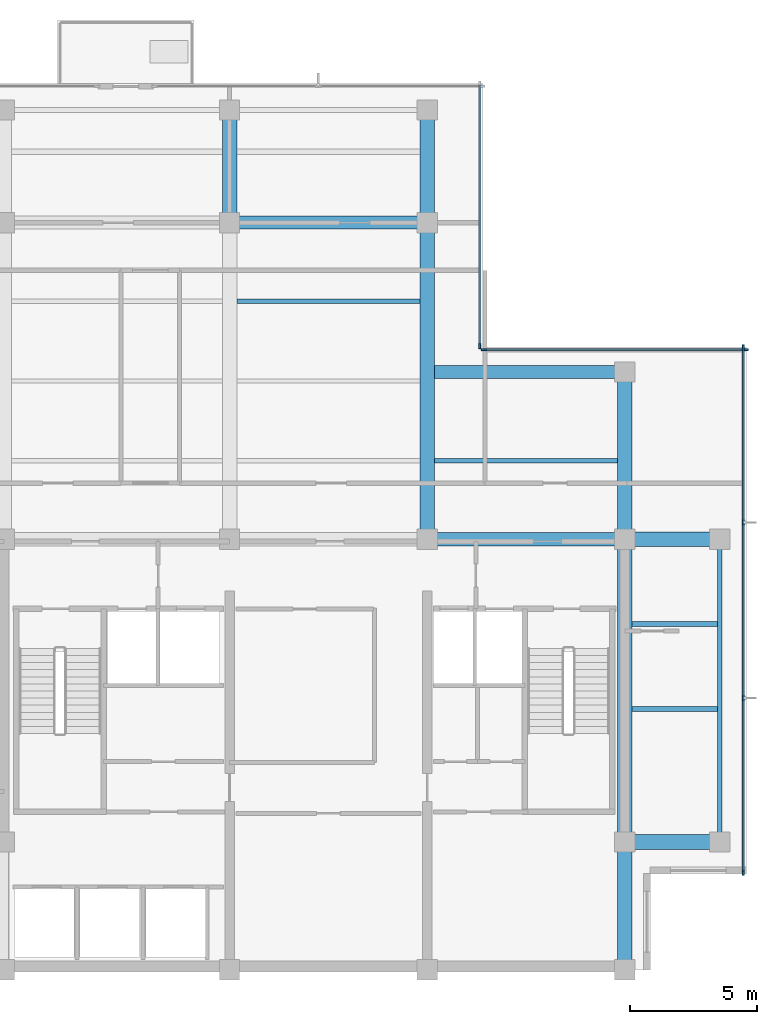
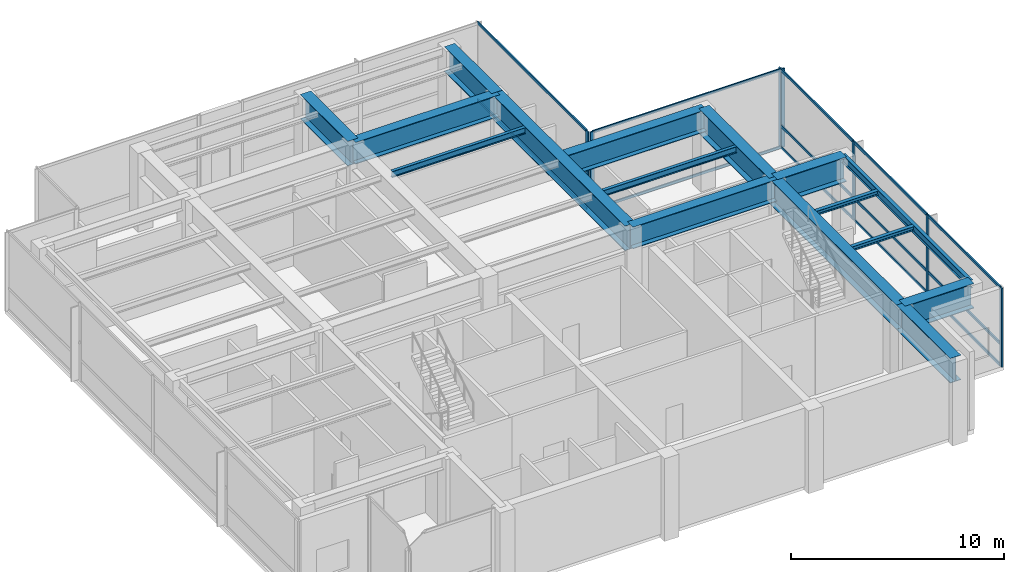
# One storey, part 3 of 11: 20 members, 16 beams, 3 elements without a shape of their own.
"""IFC4 building model written with IfcOpenShell, lengths in metres."""

from ifc_helpers import new_model, si_unit, direction, frame, origin, origin_2d, place, context, subcontext, project, spatial, rectangle, i_section, extrude, material, layer, layer_set, material_profile, profile_set, type_object, element, aggregate, save


model = new_model("IFC4")

# Units and contexts
model_context = context("Model", 3, precision=1e-05, world=origin(), true_north=direction((0.0, 1.0)))
body_context = subcontext(model_context, "Body", "Model", "MODEL_VIEW")
ifc_project = project(units=[si_unit("LENGTHUNIT", "METRE"), si_unit("AREAUNIT", "SQUARE_METRE"), si_unit("VOLUMEUNIT", "CUBIC_METRE"), si_unit("PLANEANGLEUNIT", "RADIAN"), si_unit("MASSUNIT", "GRAM", prefix="KILO")], contexts=[model_context])

# Site, building, storey
site_placement = place(None, origin())
site = spatial("IfcSite", under=ifc_project, at=site_placement, CompositionType="ELEMENT")
building_placement = place(site_placement, origin())
building = spatial("IfcBuilding", under=site, at=building_placement, Name="Qalmaran Belvedere Hotel", CompositionType="ELEMENT")
storey_placement = place(building_placement, frame((0.0, 0.0, 293.89990234375)))
storey = spatial("IfcBuildingStorey", under=building, at=storey_placement, Name="L76", CompositionType="ELEMENT", Elevation=293.89990234375)

# Beams
ifc_material_1 = material(Name="Steel S355JR", Category="steel")
ifc_material_profile_1 = material_profile(ifc_material_1, i_section(OverallWidth=0.201904296875, OverallDepth=0.2470703125, WebThickness=0.00732421875, FlangeThickness=0.010986328125, FilletRadius=0.011962890625, at=origin_2d()), Name="W250X49")
ifc_profile_set_1 = profile_set([ifc_material_profile_1], Name="Steel S355JR")
beam_type_1 = type_object("IfcBeamType", Name="BM-JST-W250X49", PredefinedType="JOIST", material=ifc_profile_set_1)
for number, where, z_axis, x_axis, name in (
    (1, (45.087890625, 13.800048828125, 4.376708984375), (1.0, 0.0, 0.0), (0.0, 1.0, 0.0), "L76 East Wing Joist 036"),
    (2, (45.087890625, 17.14990234375, 4.376708984375), (1.0, 0.0, 0.0), (0.0, 1.0, 0.0), "L76 East Wing Joist 038"),
):
    element("IfcBeam", number, at=place(storey_placement, frame(where, z_axis=z_axis, x_axis=x_axis)), inside=storey, type_object=beam_type_1, Name=name, PredefinedType="JOIST", context=body_context, shape_type="SweptSolid", body=[
        extrude(i_section(OverallWidth=0.201904296875, OverallDepth=0.2470703125, WebThickness=0.00732421875, FlangeThickness=0.010986328125, FilletRadius=0.011962890625, at=origin_2d()), origin(), (0.0, 0.0, 1.0), 3.3681640625),
    ])
ifc_material_profile_2 = material_profile(ifc_material_1, i_section(OverallWidth=0.172119140625, OverallDepth=0.35791015625, WebThickness=0.0078125, FlangeThickness=0.01318359375, FilletRadius=0.014892578125, at=origin_2d()), Name="W360X57")
ifc_profile_set_2 = profile_set([ifc_material_profile_2], Name="Steel S355JR")
beam_type_2 = type_object("IfcBeamType", Name="BM-SB4-W360X57", PredefinedType="BEAM", material=ifc_profile_set_2)
for number, where, z_axis, x_axis, name in (
    (3, (37.2880859375, 23.60009765625, 4.321044921875), (1.0, 0.0, 0.0), (0.0, 1.0, 0.0), "L76 Secondary Floor Beam 027"),
    (4, (29.488037109375, 29.89990234375, 4.321044921875), (1.0, 0.0, 0.0), (0.0, 1.0, 0.0), "L76 Secondary Floor Beam 034"),
):
    element("IfcBeam", number, at=place(storey_placement, frame(where, z_axis=z_axis, x_axis=x_axis)), inside=storey, type_object=beam_type_2, Name=name, PredefinedType="BEAM", context=body_context, shape_type="SweptSolid", body=[
        extrude(i_section(OverallWidth=0.172119140625, OverallDepth=0.35791015625, WebThickness=0.0078125, FlangeThickness=0.01318359375, FilletRadius=0.014892578125, at=origin_2d()), origin(), (0.0, 0.0, 1.0), 7.223876953125),
    ])
ifc_material_profile_3 = material_profile(ifc_material_1, i_section(OverallWidth=0.19189453125, OverallDepth=0.462890625, WebThickness=0.010498046875, FlangeThickness=0.017578125, FilletRadius=0.01611328125, at=origin_2d()), Name="W460X89")
ifc_profile_set_3 = profile_set([ifc_material_profile_3], Name="Steel S355JR")
beam_type_3 = type_object("IfcBeamType", Name="BM-SP2-W460X89", PredefinedType="SPANDREL", material=ifc_profile_set_3)
beam_1_placement = place(storey_placement, frame((48.550048828125, 8.550048828125, 4.2685546875), z_axis=(0.0, 1.0, 0.0), x_axis=(-1.0, 0.0, 0.0)))
element("IfcBeam", 5, at=beam_1_placement, inside=storey, type_object=beam_type_3, Name="L76 Perimeter Spandrel 03", PredefinedType="SPANDREL", context=body_context, shape_type="SweptSolid", body=[
    extrude(i_section(OverallWidth=0.19189453125, OverallDepth=0.462890625, WebThickness=0.010498046875, FlangeThickness=0.017578125, FilletRadius=0.01611328125, at=origin_2d()), origin(), (0.0, 0.0, 1.0), 11.949951171875),
])
ifc_material_profile_4 = material_profile(ifc_material_1, i_section(OverallWidth=0.580078125, OverallDepth=1.419921875, WebThickness=0.02490234375, FlangeThickness=0.034912109375, at=origin_2d()), Name="PG1420X580X35")
ifc_profile_set_4 = profile_set([ifc_material_profile_4], Name="Steel S355JR")
beam_type_4 = type_object("IfcBeamType", Name="BM-TG6-PG1420X580", PredefinedType="USERDEFINED", material=ifc_profile_set_4)
beam_2_placement = place(storey_placement, frame((29.199951171875, 33.0, 3.7900390625), z_axis=(0.0, 1.0, 0.0), x_axis=(-1.0, 0.0, 0.0)))
element("IfcBeam", 6, at=beam_2_placement, inside=storey, type_object=beam_type_4, Name="L76 North Bay Girder 14", ObjectType="GIRDER", PredefinedType="USERDEFINED", context=body_context, shape_type="SweptSolid", body=[
    extrude(i_section(OverallWidth=0.580078125, OverallDepth=1.419921875, WebThickness=0.02490234375, FlangeThickness=0.034912109375, at=origin_2d()), origin(), (0.0, 0.0, 1.0), 4.449951171875),
])
beam_3_placement = place(storey_placement, frame((37.0, 20.5, 3.7900390625), z_axis=(0.0, 1.0, 0.0), x_axis=(-1.0, 0.0, 0.0)))
element("IfcBeam", 7, at=beam_3_placement, inside=storey, type_object=beam_type_4, Name="L76 Mid-Plate N-S Girder 15", ObjectType="GIRDER", PredefinedType="USERDEFINED", context=body_context, shape_type="SweptSolid", body=[
    extrude(i_section(OverallWidth=0.580078125, OverallDepth=1.419921875, WebThickness=0.02490234375, FlangeThickness=0.034912109375, at=origin_2d()), origin(), (0.0, 0.0, 1.0), 12.5),
])
beam_4_placement = place(storey_placement, frame((37.0, 33.0, 3.7900390625), z_axis=(0.0, 1.0, 0.0), x_axis=(-1.0, 0.0, 0.0)))
element("IfcBeam", 8, at=beam_4_placement, inside=storey, type_object=beam_type_4, Name="L76 North Bay Girder 16", ObjectType="GIRDER", PredefinedType="USERDEFINED", context=body_context, shape_type="SweptSolid", body=[
    extrude(i_section(OverallWidth=0.580078125, OverallDepth=1.419921875, WebThickness=0.02490234375, FlangeThickness=0.034912109375, at=origin_2d()), origin(), (0.0, 0.0, 1.0), 4.449951171875),
])
beam_5_placement = place(storey_placement, frame((44.800048828125, 20.5, 3.7900390625), z_axis=(0.0, 1.0, 0.0), x_axis=(-1.0, 0.0, 0.0)))
element("IfcBeam", 9, at=beam_5_placement, inside=storey, type_object=beam_type_4, Name="L76 Mid-Plate N-S Girder 17", ObjectType="GIRDER", PredefinedType="USERDEFINED", context=body_context, shape_type="SweptSolid", body=[
    extrude(i_section(OverallWidth=0.580078125, OverallDepth=1.419921875, WebThickness=0.02490234375, FlangeThickness=0.034912109375, at=origin_2d()), origin(), (0.0, 0.0, 1.0), 6.60009765625),
])
beam_6_placement = place(storey_placement, frame((44.800048828125, 3.5, 3.7900390625), z_axis=(0.0, 1.0, 0.0), x_axis=(-1.0, 0.0, 0.0)))
element("IfcBeam", 10, at=beam_6_placement, inside=storey, type_object=beam_type_4, Name="L76 East Core Edge Girder A", ObjectType="GIRDER", PredefinedType="USERDEFINED", context=body_context, shape_type="SweptSolid", body=[
    extrude(i_section(OverallWidth=0.580078125, OverallDepth=1.419921875, WebThickness=0.02490234375, FlangeThickness=0.034912109375, at=origin_2d()), origin(), (0.0, 0.0, 1.0), 5.050048828125),
])
beam_7_placement = place(storey_placement, frame((44.800048828125, 8.550048828125, 3.7900390625), z_axis=(0.0, 1.0, 0.0), x_axis=(-1.0, 0.0, 0.0)))
element("IfcBeam", 11, at=beam_7_placement, inside=storey, type_object=beam_type_4, Name="L76 East Core Edge Girder B", ObjectType="GIRDER", PredefinedType="USERDEFINED", context=body_context, shape_type="SweptSolid", body=[
    extrude(i_section(OverallWidth=0.580078125, OverallDepth=1.419921875, WebThickness=0.02490234375, FlangeThickness=0.034912109375, at=origin_2d()), origin(), (0.0, 0.0, 1.0), 11.949951171875),
])
for number, where, z_axis, x_axis, name in (
    (12, (44.800048828125, 8.550048828125, 3.7900390625), (1.0, 0.0, 0.0), (0.0, 1.0, 0.0), "L76 East Wing Girder 22"),
    (13, (44.800048828125, 20.5, 3.7900390625), (1.0, 0.0, 0.0), (0.0, 1.0, 0.0), "L76 East Wing Girder 23"),
):
    element("IfcBeam", number, at=place(storey_placement, frame(where, z_axis=z_axis, x_axis=x_axis)), inside=storey, type_object=beam_type_4, Name=name, ObjectType="GIRDER", PredefinedType="USERDEFINED", context=body_context, shape_type="SweptSolid", body=[
        extrude(i_section(OverallWidth=0.580078125, OverallDepth=1.419921875, WebThickness=0.02490234375, FlangeThickness=0.034912109375, at=origin_2d()), origin(), (0.0, 0.0, 1.0), 3.75),
    ])
ifc_material_profile_5 = material_profile(ifc_material_1, i_section(OverallWidth=0.52001953125, OverallDepth=1.25, WebThickness=0.02197265625, FlangeThickness=0.031982421875, at=origin_2d()), Name="PG1250X520X32")
ifc_profile_set_5 = profile_set([ifc_material_profile_5], Name="Steel S355JR")
beam_type_5 = type_object("IfcBeamType", Name="BM-TG7-PG1250X520", PredefinedType="USERDEFINED", material=ifc_profile_set_5)
for number, where, z_axis, x_axis, name in (
    (14, (37.0, 20.5, 3.875), (1.0, 0.0, 0.0), (0.0, 1.0, 0.0), "L76 Interior E-W Girder 08"),
    (15, (29.199951171875, 33.0, 3.875), (1.0, 0.0, 0.0), (0.0, 1.0, 0.0), "L76 Interior E-W Girder 10"),
):
    element("IfcBeam", number, at=place(storey_placement, frame(where, z_axis=z_axis, x_axis=x_axis)), inside=storey, type_object=beam_type_5, Name=name, ObjectType="GIRDER", PredefinedType="USERDEFINED", context=body_context, shape_type="SweptSolid", body=[
        extrude(i_section(OverallWidth=0.52001953125, OverallDepth=1.25, WebThickness=0.02197265625, FlangeThickness=0.031982421875, at=origin_2d()), origin(), (0.0, 0.0, 1.0), 7.800048828125),
    ])
beam_8_placement = place(storey_placement, frame((37.2880859375, 27.10009765625, 3.875), z_axis=(1.0, 0.0, 0.0), x_axis=(0.0, 1.0, 0.0)))
element("IfcBeam", 16, at=beam_8_placement, inside=storey, type_object=beam_type_5, Name="L76 North-East Notch Rim Girder", ObjectType="GIRDER", PredefinedType="USERDEFINED", context=body_context, shape_type="SweptSolid", body=[
    extrude(i_section(OverallWidth=0.52001953125, OverallDepth=1.25, WebThickness=0.02197265625, FlangeThickness=0.031982421875, at=origin_2d()), origin(), (0.0, 0.0, 1.0), 7.511962890625),
])

# Curtain wall, members
ifc_material_2 = material(Name="Anodised Bronze Aluminium", Category="aluminium")
ifc_layer = layer(ifc_material_2, 0.205078125, Name="Anodised Bronze Aluminium")
ifc_layer_set = layer_set([ifc_layer], Name="Anodised Bronze Aluminium")
curtain_wall_type = type_object("IfcCurtainWallType", Name="CW7-CROWN-BELVEDERE", PredefinedType="NOTDEFINED", material=ifc_layer_set)
curtain_wall_1_placement = place(storey_placement, origin())
curtain_wall_1 = element("IfcCurtainWall", 17, at=curtain_wall_1_placement, inside=storey, type_object=curtain_wall_type, Name="L76 Curtain Wall CW7", PredefinedType="NOTDEFINED")
ifc_material_profile_6 = material_profile(ifc_material_2, rectangle(XDim=0.074951171875, YDim=0.219970703125, at=origin_2d()), Name="CWM75X220")
ifc_profile_set_6 = profile_set([ifc_material_profile_6], Name="Anodised Bronze Aluminium")
member_type_1 = type_object("IfcMemberType", Name="CWM-75X220", PredefinedType="MULLION", material=ifc_profile_set_6)
member_1_placement = place(storey_placement, frame((49.47998046875, 7.33740234375, 0.0), z_axis=(0.0, 0.0, 1.0), x_axis=(-1.0, 0.0, 0.0)))
member_1 = element("IfcMember", 18, at=member_1_placement, type_object=member_type_1, Name="CW7 mullion 1", PredefinedType="MULLION", context=body_context, shape_type="SweptSolid", body=[
    extrude(rectangle(XDim=0.074951171875, YDim=0.219970703125, at=origin_2d()), origin(), (0.0, 0.0, 1.0), 4.5),
])
member_2_placement = place(storey_placement, frame((49.47998046875, 14.2333984375, 0.0), z_axis=(0.0, 0.0, 1.0), x_axis=(-1.0, 0.0, 0.0)))
member_2 = element("IfcMember", 19, at=member_2_placement, type_object=member_type_1, Name="CW7 mullion 2", PredefinedType="MULLION", context=body_context, shape_type="SweptSolid", body=[
    extrude(rectangle(XDim=0.074951171875, YDim=0.219970703125, at=origin_2d()), origin(), (0.0, 0.0, 1.0), 4.5),
])
member_3_placement = place(storey_placement, frame((49.47998046875, 21.166748046875, 0.0), z_axis=(0.0, 0.0, 1.0), x_axis=(-1.0, 0.0, 0.0)))
member_3 = element("IfcMember", 20, at=member_3_placement, type_object=member_type_1, Name="CW7 mullion 3", PredefinedType="MULLION", context=body_context, shape_type="SweptSolid", body=[
    extrude(rectangle(XDim=0.074951171875, YDim=0.219970703125, at=origin_2d()), origin(), (0.0, 0.0, 1.0), 4.5),
])
member_4_placement = place(storey_placement, frame((49.47998046875, 28.0625, 0.0), z_axis=(0.0, 0.0, 1.0), x_axis=(-1.0, 0.0, 0.0)))
member_4 = element("IfcMember", 21, at=member_4_placement, type_object=member_type_1, Name="CW7 mullion 4", PredefinedType="MULLION", context=body_context, shape_type="SweptSolid", body=[
    extrude(rectangle(XDim=0.074951171875, YDim=0.219970703125, at=origin_2d()), origin(), (0.0, 0.0, 1.0), 4.5),
])

curtain_wall_2_placement = place(storey_placement, origin())
curtain_wall_2 = element("IfcCurtainWall", 22, at=curtain_wall_2_placement, inside=storey, type_object=curtain_wall_type, Name="L76 Curtain Wall CW7", PredefinedType="NOTDEFINED")
member_5_placement = place(storey_placement, frame((49.5625, 27.97998046875, 0.0), z_axis=(0.0, 0.0, 1.0), x_axis=(0.0, -1.0, 0.0)))
member_5 = element("IfcMember", 23, at=member_5_placement, type_object=member_type_1, Name="CW7 mullion 1", PredefinedType="MULLION", context=body_context, shape_type="SweptSolid", body=[
    extrude(rectangle(XDim=0.074951171875, YDim=0.219970703125, at=origin_2d()), origin(), (0.0, 0.0, 1.0), 4.5),
])
member_6_placement = place(storey_placement, frame((39.237548828125, 27.97998046875, 0.0), z_axis=(0.0, 0.0, 1.0), x_axis=(0.0, -1.0, 0.0)))
member_6 = element("IfcMember", 24, at=member_6_placement, type_object=member_type_1, Name="CW7 mullion 2", PredefinedType="MULLION", context=body_context, shape_type="SweptSolid", body=[
    extrude(rectangle(XDim=0.074951171875, YDim=0.219970703125, at=origin_2d()), origin(), (0.0, 0.0, 1.0), 4.5),
])

# Curtain wall, member
curtain_wall_3_placement = place(storey_placement, origin())
curtain_wall_3 = element("IfcCurtainWall", 25, at=curtain_wall_3_placement, inside=storey, type_object=curtain_wall_type, Name="L76 Curtain Wall CW7", PredefinedType="NOTDEFINED")
member_7_placement = place(storey_placement, frame((39.080078125, 28.137451171875, 0.0), z_axis=(0.0, 0.0, 1.0), x_axis=(-1.0, 0.0, 0.0)))
member_7 = element("IfcMember", 26, at=member_7_placement, type_object=member_type_1, Name="CW7 mullion 1", PredefinedType="MULLION", context=body_context, shape_type="SweptSolid", body=[
    extrude(rectangle(XDim=0.074951171875, YDim=0.219970703125, at=origin_2d()), origin(), (0.0, 0.0, 1.0), 4.5),
])

# Member
ifc_material_profile_7 = material_profile(ifc_material_2, rectangle(XDim=0.070068359375, YDim=0.14990234375, at=origin_2d()), Name="CWT70X150")
ifc_profile_set_7 = profile_set([ifc_material_profile_7], Name="Anodised Bronze Aluminium")
member_type_2 = type_object("IfcMemberType", Name="CWT-70X150", PredefinedType="USERDEFINED", material=ifc_profile_set_7)
member_8_placement = place(storey_placement, frame((49.47998046875, 7.375, 0.03515625), z_axis=(0.0, 1.0, 0.0), x_axis=(-1.0, 0.0, 0.0)))
member_8 = element("IfcMember", 27, at=member_8_placement, type_object=member_type_2, Name="CW7 transom 1.1", ObjectType="TRANSOM", PredefinedType="USERDEFINED", context=body_context, shape_type="SweptSolid", body=[
    extrude(rectangle(XDim=0.070068359375, YDim=0.14990234375, at=origin_2d()), origin(), (0.0, 0.0, 1.0), 6.82080078125),
])

member_9_placement = place(storey_placement, frame((49.47998046875, 7.375, 1.260009765625), z_axis=(0.0, 1.0, 0.0), x_axis=(-1.0, 0.0, 0.0)))
member_9 = element("IfcMember", 28, at=member_9_placement, type_object=member_type_2, Name="CW7 transom 1.2", ObjectType="TRANSOM", PredefinedType="USERDEFINED", context=body_context, shape_type="SweptSolid", body=[
    extrude(rectangle(XDim=0.070068359375, YDim=0.14990234375, at=origin_2d()), origin(), (0.0, 0.0, 1.0), 6.82080078125),
])

member_10_placement = place(storey_placement, frame((49.47998046875, 7.375, 4.465087890625), z_axis=(0.0, 1.0, 0.0), x_axis=(-1.0, 0.0, 0.0)))
member_10 = element("IfcMember", 29, at=member_10_placement, type_object=member_type_2, Name="CW7 transom 1.3", ObjectType="TRANSOM", PredefinedType="USERDEFINED", context=body_context, shape_type="SweptSolid", body=[
    extrude(rectangle(XDim=0.070068359375, YDim=0.14990234375, at=origin_2d()), origin(), (0.0, 0.0, 1.0), 6.82080078125),
])

member_11_placement = place(storey_placement, frame((49.47998046875, 14.270751953125, 0.03515625), z_axis=(0.0, 1.0, 0.0), x_axis=(-1.0, 0.0, 0.0)))
member_11 = element("IfcMember", 30, at=member_11_placement, type_object=member_type_2, Name="CW7 transom 2.1", ObjectType="TRANSOM", PredefinedType="USERDEFINED", context=body_context, shape_type="SweptSolid", body=[
    extrude(rectangle(XDim=0.070068359375, YDim=0.14990234375, at=origin_2d()), origin(), (0.0, 0.0, 1.0), 6.8583984375),
])

member_12_placement = place(storey_placement, frame((49.47998046875, 14.270751953125, 1.260009765625), z_axis=(0.0, 1.0, 0.0), x_axis=(-1.0, 0.0, 0.0)))
member_12 = element("IfcMember", 31, at=member_12_placement, type_object=member_type_2, Name="CW7 transom 2.2", ObjectType="TRANSOM", PredefinedType="USERDEFINED", context=body_context, shape_type="SweptSolid", body=[
    extrude(rectangle(XDim=0.070068359375, YDim=0.14990234375, at=origin_2d()), origin(), (0.0, 0.0, 1.0), 6.8583984375),
])

member_13_placement = place(storey_placement, frame((49.47998046875, 14.270751953125, 4.465087890625), z_axis=(0.0, 1.0, 0.0), x_axis=(-1.0, 0.0, 0.0)))
member_13 = element("IfcMember", 32, at=member_13_placement, type_object=member_type_2, Name="CW7 transom 2.3", ObjectType="TRANSOM", PredefinedType="USERDEFINED", context=body_context, shape_type="SweptSolid", body=[
    extrude(rectangle(XDim=0.070068359375, YDim=0.14990234375, at=origin_2d()), origin(), (0.0, 0.0, 1.0), 6.8583984375),
])

member_14_placement = place(storey_placement, frame((49.47998046875, 21.2041015625, 0.03515625), z_axis=(0.0, 1.0, 0.0), x_axis=(-1.0, 0.0, 0.0)))
member_14 = element("IfcMember", 33, at=member_14_placement, type_object=member_type_2, Name="CW7 transom 3.1", ObjectType="TRANSOM", PredefinedType="USERDEFINED", context=body_context, shape_type="SweptSolid", body=[
    extrude(rectangle(XDim=0.070068359375, YDim=0.14990234375, at=origin_2d()), origin(), (0.0, 0.0, 1.0), 6.82080078125),
])

member_15_placement = place(storey_placement, frame((49.47998046875, 21.2041015625, 1.260009765625), z_axis=(0.0, 1.0, 0.0), x_axis=(-1.0, 0.0, 0.0)))
member_15 = element("IfcMember", 34, at=member_15_placement, type_object=member_type_2, Name="CW7 transom 3.2", ObjectType="TRANSOM", PredefinedType="USERDEFINED", context=body_context, shape_type="SweptSolid", body=[
    extrude(rectangle(XDim=0.070068359375, YDim=0.14990234375, at=origin_2d()), origin(), (0.0, 0.0, 1.0), 6.82080078125),
])

member_16_placement = place(storey_placement, frame((49.47998046875, 21.2041015625, 4.465087890625), z_axis=(0.0, 1.0, 0.0), x_axis=(-1.0, 0.0, 0.0)))
member_16 = element("IfcMember", 35, at=member_16_placement, type_object=member_type_2, Name="CW7 transom 3.3", ObjectType="TRANSOM", PredefinedType="USERDEFINED", context=body_context, shape_type="SweptSolid", body=[
    extrude(rectangle(XDim=0.070068359375, YDim=0.14990234375, at=origin_2d()), origin(), (0.0, 0.0, 1.0), 6.82080078125),
])

aggregate(curtain_wall_1, [member_1, member_2, member_3, member_4, member_8, member_9, member_10, member_11, member_12, member_13, member_14, member_15, member_16])

member_17_placement = place(storey_placement, frame((49.52490234375, 27.97998046875, 0.03515625), z_axis=(-1.0, 0.0, 0.0), x_axis=(0.0, -1.0, 0.0)))
member_17 = element("IfcMember", 36, at=member_17_placement, type_object=member_type_2, Name="CW7 transom 1.1", ObjectType="TRANSOM", PredefinedType="USERDEFINED", context=body_context, shape_type="SweptSolid", body=[
    extrude(rectangle(XDim=0.070068359375, YDim=0.14990234375, at=origin_2d()), origin(), (0.0, 0.0, 1.0), 10.25),
])

member_18_placement = place(storey_placement, frame((49.52490234375, 27.97998046875, 4.465087890625), z_axis=(-1.0, 0.0, 0.0), x_axis=(0.0, -1.0, 0.0)))
member_18 = element("IfcMember", 37, at=member_18_placement, type_object=member_type_2, Name="CW7 transom 1.2", ObjectType="TRANSOM", PredefinedType="USERDEFINED", context=body_context, shape_type="SweptSolid", body=[
    extrude(rectangle(XDim=0.070068359375, YDim=0.14990234375, at=origin_2d()), origin(), (0.0, 0.0, 1.0), 10.25),
])

aggregate(curtain_wall_2, [member_5, member_6, member_17, member_18])

member_19_placement = place(storey_placement, frame((39.080078125, 28.175048828125, 0.03515625), z_axis=(0.0, 1.0, 0.0), x_axis=(-1.0, 0.0, 0.0)))
member_19 = element("IfcMember", 38, at=member_19_placement, type_object=member_type_2, Name="CW7 transom 1.1", ObjectType="TRANSOM", PredefinedType="USERDEFINED", context=body_context, shape_type="SweptSolid", body=[
    extrude(rectangle(XDim=0.070068359375, YDim=0.14990234375, at=origin_2d()), origin(), (0.0, 0.0, 1.0), 10.25),
])

member_20_placement = place(storey_placement, frame((39.080078125, 28.175048828125, 4.465087890625), z_axis=(0.0, 1.0, 0.0), x_axis=(-1.0, 0.0, 0.0)))
member_20 = element("IfcMember", 39, at=member_20_placement, type_object=member_type_2, Name="CW7 transom 1.2", ObjectType="TRANSOM", PredefinedType="USERDEFINED", context=body_context, shape_type="SweptSolid", body=[
    extrude(rectangle(XDim=0.070068359375, YDim=0.14990234375, at=origin_2d()), origin(), (0.0, 0.0, 1.0), 10.25),
])

aggregate(curtain_wall_3, [member_7, member_19, member_20])

save(model, "model.ifc")
